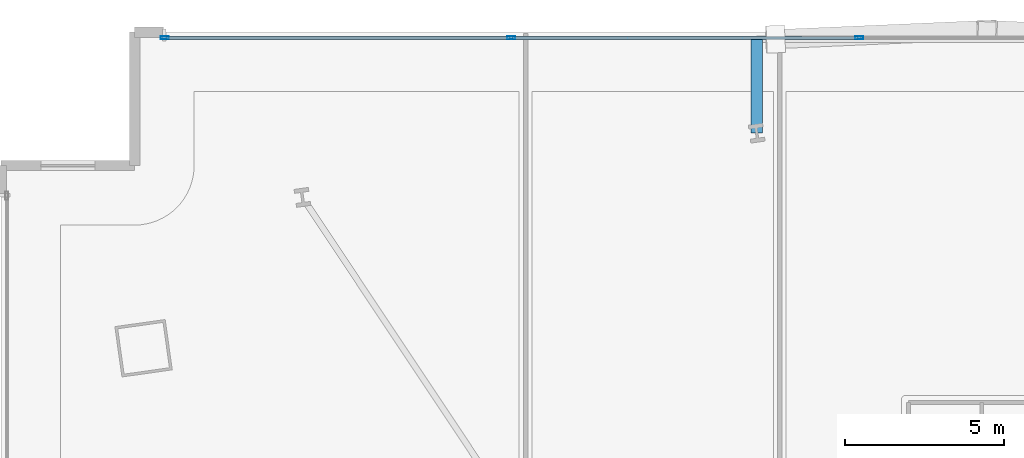
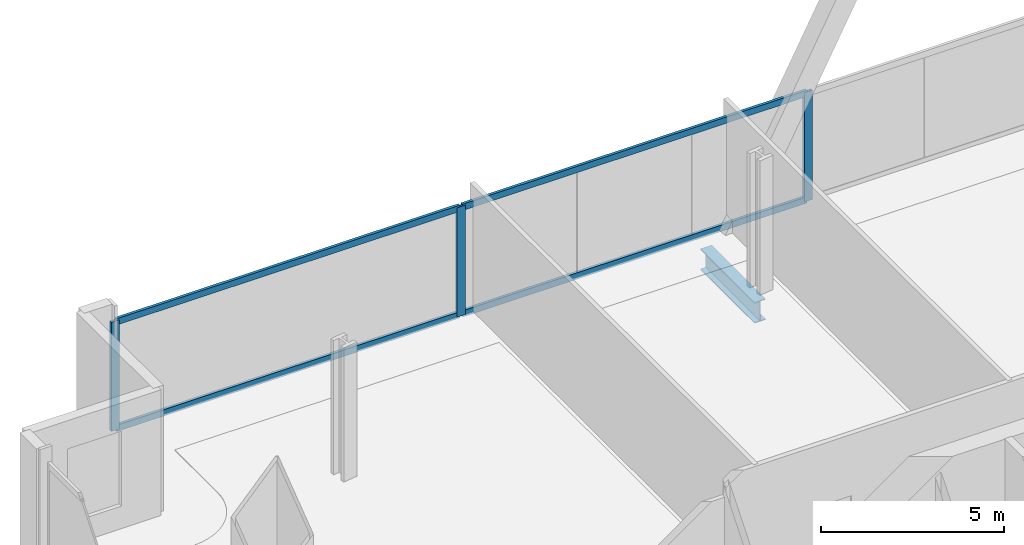
# One storey, part 14 of 29: 7 members, 1 beam, 1 element without a shape of its own.
"""IFC4 building model written with IfcOpenShell, lengths in metres."""

from ifc_helpers import new_model, si_unit, direction, frame, origin, origin_2d, place, context, subcontext, project, spatial, hollow_rectangle, i_section, extrude, material, material_profile, profile_set, type_object, element, aggregate, save


model = new_model("IFC4")

# Units and contexts
model_context = context("Model", 3, precision=1e-05, world=origin(), true_north=direction((0.0, 1.0)))
body_context = subcontext(model_context, "Body", "Model", "MODEL_VIEW")
ifc_project = project(units=[si_unit("LENGTHUNIT", "METRE"), si_unit("AREAUNIT", "SQUARE_METRE"), si_unit("VOLUMEUNIT", "CUBIC_METRE"), si_unit("PLANEANGLEUNIT", "RADIAN"), si_unit("MASSUNIT", "GRAM", prefix="KILO")], contexts=[model_context])

# Site, building, storey
site_placement = place(None, origin())
site = spatial("IfcSite", under=ifc_project, at=site_placement, CompositionType="ELEMENT")
building_placement = place(site_placement, origin())
building = spatial("IfcBuilding", under=site, at=building_placement, Name="Haldenkirk Collegiate Tower", CompositionType="ELEMENT")
storey_placement = place(building_placement, frame((0.0, 0.0, 28.199951171875)))
storey = spatial("IfcBuildingStorey", under=building, at=storey_placement, Name="L05", CompositionType="ELEMENT", Elevation=28.199951171875)

# Beam
ifc_material_1 = material(Name="Steel ASTM A992 Grade 50", Category="steel")
ifc_material_profile_1 = material_profile(ifc_material_1, i_section(OverallWidth=0.35498046875, OverallDepth=0.696044921875, WebThickness=0.015380859375, FlangeThickness=0.02490234375, at=origin_2d()), Name="W27X146")
ifc_profile_set_1 = profile_set([ifc_material_profile_1], Name="Steel ASTM A992 Grade 50")
beam_type = type_object("IfcBeamType", Name="BM-GIRDER-W27X146", PredefinedType="BEAM", material=ifc_profile_set_1)
beam_placement = place(storey_placement, frame((32.772216796875, 48.822998046875, -0.758056640625), z_axis=(0.0, 1.0, 0.0), x_axis=(-1.0, 0.0, 0.0)))
element("IfcBeam", 1, at=beam_placement, inside=storey, type_object=beam_type, Name="L05 facade lookout girder 12", PredefinedType="BEAM", context=body_context, shape_type="SweptSolid", body=[
    extrude(i_section(OverallWidth=0.35498046875, OverallDepth=0.696044921875, WebThickness=0.015380859375, FlangeThickness=0.02490234375, at=origin_2d()), origin(), (0.0, 0.0, 1.0), 2.95703125),
])

# Curtain wall, members
ifc_material_2 = material(Name="Anodised architectural bronze aluminium", Category="aluminium")
curtain_wall_type = type_object("IfcCurtainWallType", Name="CW-SYS4-SKYGARDEN", PredefinedType="USERDEFINED", material=ifc_material_2)
curtain_wall_placement = place(storey_placement, origin())
curtain_wall = element("IfcCurtainWall", 2, at=curtain_wall_placement, inside=storey, type_object=curtain_wall_type, Name="L05 Sky-garden tall bronze curtain wall", ObjectType="UNITISED CURTAIN WALL", PredefinedType="USERDEFINED")
ifc_material_profile_2 = material_profile(ifc_material_2, hollow_rectangle(XDim=0.090087890625, YDim=0.260009765625, WallThickness=0.0048828125, at=origin_2d()), Name="CW-MUL-04")
ifc_profile_set_2 = profile_set([ifc_material_profile_2], Name="Anodised architectural bronze aluminium")
member_type_1 = type_object("IfcMemberType", Name="CW-MUL-04", PredefinedType="MULLION", material=ifc_profile_set_2)
member_1_placement = place(storey_placement, frame((14.14501953125, 51.820068359375, 0.0), z_axis=(0.0, 0.0, 1.0), x_axis=(0.0, 1.0, 0.0)))
member_1 = element("IfcMember", 3, at=member_1_placement, type_object=member_type_1, Name="CW-04 mullion 1", PredefinedType="MULLION", context=body_context, shape_type="SweptSolid", body=[
    extrude(hollow_rectangle(XDim=0.090087890625, YDim=0.260009765625, WallThickness=0.0048828125, at=origin_2d()), origin(), (0.0, 0.0, 1.0), 3.64111328125),
])
member_2_placement = place(storey_placement, frame((25.050048828125, 51.820068359375, 0.0), z_axis=(0.0, 0.0, 1.0), x_axis=(0.0, 1.0, 0.0)))
member_2 = element("IfcMember", 4, at=member_2_placement, type_object=member_type_1, Name="CW-04 mullion 2", PredefinedType="MULLION", context=body_context, shape_type="SweptSolid", body=[
    extrude(hollow_rectangle(XDim=0.090087890625, YDim=0.260009765625, WallThickness=0.0048828125, at=origin_2d()), origin(), (0.0, 0.0, 1.0), 3.64111328125),
])
member_3_placement = place(storey_placement, frame((36.0, 51.820068359375, 0.0), z_axis=(0.0, 0.0, 1.0), x_axis=(0.0, 1.0, 0.0)))
member_3 = element("IfcMember", 5, at=member_3_placement, type_object=member_type_1, Name="CW-04 mullion 3", PredefinedType="MULLION", context=body_context, shape_type="SweptSolid", body=[
    extrude(hollow_rectangle(XDim=0.090087890625, YDim=0.260009765625, WallThickness=0.0048828125, at=origin_2d()), origin(), (0.0, 0.0, 1.0), 3.64111328125),
])
ifc_material_profile_3 = material_profile(ifc_material_2, hollow_rectangle(XDim=0.090087890625, YDim=0.2099609375, WallThickness=0.0048828125, at=origin_2d()), Name="CW-TRN-04")
ifc_profile_set_3 = profile_set([ifc_material_profile_3], Name="Anodised architectural bronze aluminium")
member_type_2 = type_object("IfcMemberType", Name="CW-TRN-04", PredefinedType="USERDEFINED", material=ifc_profile_set_3)
member_4_placement = place(storey_placement, frame((14.18994140625, 51.820068359375, 0.045166015625), z_axis=(1.0, 0.0, 0.0), x_axis=(0.0, 1.0, 0.0)))
member_4 = element("IfcMember", 6, at=member_4_placement, type_object=member_type_2, Name="CW-04 transom 1.1", ObjectType="TRANSOM", PredefinedType="USERDEFINED", context=body_context, shape_type="SweptSolid", body=[
    extrude(hollow_rectangle(XDim=0.090087890625, YDim=0.2099609375, WallThickness=0.0048828125, at=origin_2d()), origin(), (0.0, 0.0, 1.0), 10.81494140625),
])
member_5_placement = place(storey_placement, frame((14.18994140625, 51.820068359375, 3.595947265625), z_axis=(1.0, 0.0, 0.0), x_axis=(0.0, 1.0, 0.0)))
member_5 = element("IfcMember", 7, at=member_5_placement, type_object=member_type_2, Name="CW-04 transom 1.2", ObjectType="TRANSOM", PredefinedType="USERDEFINED", context=body_context, shape_type="SweptSolid", body=[
    extrude(hollow_rectangle(XDim=0.090087890625, YDim=0.2099609375, WallThickness=0.0048828125, at=origin_2d()), origin(), (0.0, 0.0, 1.0), 10.81494140625),
])
member_6_placement = place(storey_placement, frame((25.094970703125, 51.820068359375, 0.045166015625), z_axis=(1.0, 0.0, 0.0), x_axis=(0.0, 1.0, 0.0)))
member_6 = element("IfcMember", 8, at=member_6_placement, type_object=member_type_2, Name="CW-04 transom 2.1", ObjectType="TRANSOM", PredefinedType="USERDEFINED", context=body_context, shape_type="SweptSolid", body=[
    extrude(hollow_rectangle(XDim=0.090087890625, YDim=0.2099609375, WallThickness=0.0048828125, at=origin_2d()), origin(), (0.0, 0.0, 1.0), 10.860107421875),
])
member_7_placement = place(storey_placement, frame((25.094970703125, 51.820068359375, 3.595947265625), z_axis=(1.0, 0.0, 0.0), x_axis=(0.0, 1.0, 0.0)))
member_7 = element("IfcMember", 9, at=member_7_placement, type_object=member_type_2, Name="CW-04 transom 2.2", ObjectType="TRANSOM", PredefinedType="USERDEFINED", context=body_context, shape_type="SweptSolid", body=[
    extrude(hollow_rectangle(XDim=0.090087890625, YDim=0.2099609375, WallThickness=0.0048828125, at=origin_2d()), origin(), (0.0, 0.0, 1.0), 10.860107421875),
])
aggregate(curtain_wall, [member_1, member_2, member_3, member_4, member_5, member_6, member_7])

save(model, "model.ifc")
